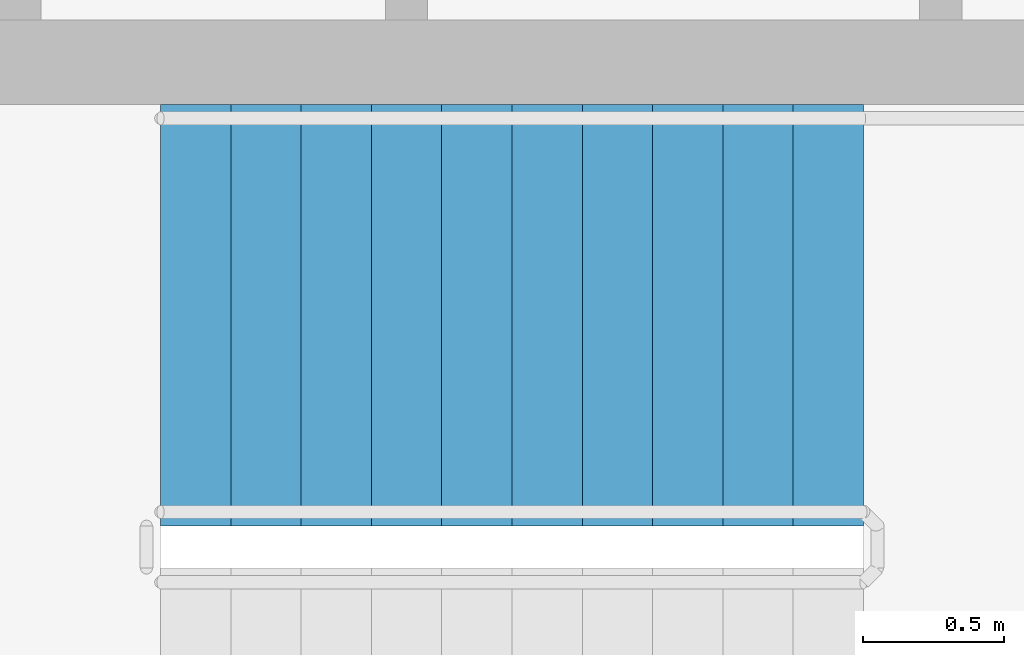
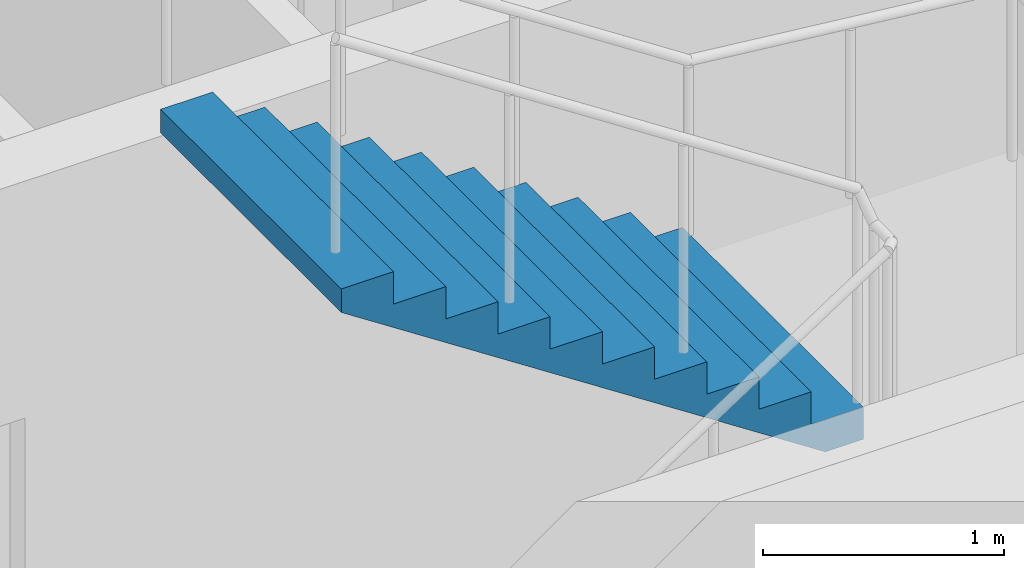
# One storey, part 9 of 10: 1 stair flight, 1 element without a shape of its own.
"""IFC4 building model written with IfcOpenShell, lengths in metres."""

from ifc_helpers import new_model, si_unit, direction, frame, origin, place, context, subcontext, project, spatial, polyline, outline, extrude, material, type_object, element, aggregate, save


model = new_model("IFC4")

# Units and contexts
model_context = context("Model", 3, precision=1e-05, world=origin(), true_north=direction((0.0, 1.0)))
body_context = subcontext(model_context, "Body", "Model", "MODEL_VIEW")
ifc_project = project(units=[si_unit("LENGTHUNIT", "METRE"), si_unit("AREAUNIT", "SQUARE_METRE"), si_unit("VOLUMEUNIT", "CUBIC_METRE"), si_unit("PLANEANGLEUNIT", "RADIAN"), si_unit("MASSUNIT", "GRAM", prefix="KILO")], contexts=[model_context])

# Site, building, storey
site_placement = place(None, origin())
site = spatial("IfcSite", under=ifc_project, at=site_placement, CompositionType="ELEMENT")
building_placement = place(site_placement, origin())
building = spatial("IfcBuilding", under=site, at=building_placement, Name="Tracery Tower", CompositionType="ELEMENT")
storey_placement = place(building_placement, frame((0.0, 0.0, 194.39990234375)))
storey = spatial("IfcBuildingStorey", under=building, at=storey_placement, Name="L50", CompositionType="ELEMENT", Elevation=194.39990234375)

# Stair, stair flight
ifc_material_1 = material(Name="Concrete C32/40", Category="concrete")
stair_type = type_object("IfcStairType", Name="Core stair 22 risers", PredefinedType="HALF_TURN_STAIR", material=ifc_material_1)
stair_placement = place(storey_placement, origin())
stair = element("IfcStair", 1, at=stair_placement, inside=storey, type_object=stair_type, Name="L50 stair ST2", PredefinedType="HALF_TURN_STAIR")
ifc_material_2 = material(Name="Concrete C32/40", Category="concrete")
stair_flight_type = type_object("IfcStairFlightType", Name="Core stair flight 11 risers", PredefinedType="STRAIGHT", material=ifc_material_2)
stair_flight_placement = place(storey_placement, frame((7.300048828125, -4.0, 1.800048828125), z_axis=(0.0, 0.0, 1.0), x_axis=(-1.0, 0.0, 0.0)))
stair_flight = element("IfcStairFlight", 2, at=stair_flight_placement, type_object=stair_flight_type, Name="ST2 flight 2", NumberOfRisers=11, NumberOfTreads=10, PredefinedType="STRAIGHT", RiserHeight=0.163636364, TreadLength=0.25, context=body_context, shape_type="SweptSolid", body=[
    extrude(outline(polyline([(0.0, 0.0), (0.0, 0.002685546875), (0.0, 0.00537109375), (0.0, 0.008056640625), (0.0, 0.0107421875), (0.0, 0.013427734375), (0.0, 0.01611328125), (0.0, 0.018798828125), (0.0, 0.021484375), (0.0, 0.024169921875), (0.0, 0.02685546875), (0.0, 0.029541015625), (0.0, 0.0322265625), (0.0, 0.034912109375), (0.0, 0.03759765625), (0.0, 0.040283203125), (0.0, 0.04296875), (0.0, 0.045654296875), (0.0, 0.04833984375), (0.0, 0.051025390625), (0.0, 0.0537109375), (0.0, 0.056396484375), (0.0, 0.05908203125), (0.0, 0.061767578125), (0.0, 0.064453125), (0.0, 0.067138671875), (0.0, 0.06982421875), (0.0, 0.072509765625), (0.0, 0.0751953125), (0.0, 0.077880859375), (0.0, 0.08056640625), (0.0, 0.083251953125), (0.0, 0.0859375), (0.0, 0.088623046875), (0.0, 0.09130859375), (0.0, 0.093994140625), (0.0, 0.0966796875), (0.0, 0.099365234375), (0.0, 0.10205078125), (0.0, 0.104736328125), (0.0, 0.107421875), (0.0, 0.10986328125), (0.0, 0.112548828125), (0.0, 0.115234375), (0.0, 0.117919921875), (0.0, 0.12060546875), (0.0, 0.123291015625), (0.0, 0.1259765625), (0.0, 0.128662109375), (0.0, 0.13134765625), (0.0, 0.134033203125), (0.0, 0.13671875), (0.0, 0.139404296875), (0.0, 0.14208984375), (0.0, 0.144775390625), (0.0, 0.1474609375), (0.0, 0.150146484375), (0.0, 0.15283203125), (0.0, 0.155517578125), (0.0, 0.158203125), (0.0, 0.160888671875), (0.0, 0.16357421875), (0.25, 0.16357421875), (0.25, 0.327392578125), (0.5, 0.327392578125), (0.5, 0.490966796875), (0.75, 0.490966796875), (0.75, 0.654541015625), (1.0, 0.654541015625), (1.0, 0.818115234375), (1.25, 0.818115234375), (1.25, 0.98193359375), (1.5, 0.98193359375), (1.5, 1.1455078125), (1.75, 1.1455078125), (1.75, 1.30908203125), (2.0, 1.30908203125), (2.0, 1.47265625), (2.25, 1.47265625), (2.25, 1.636474609375), (2.5, 1.636474609375), (2.5, 1.634521484375), (2.5, 1.63232421875), (2.5, 1.63037109375), (2.5, 1.62841796875), (2.5, 1.62646484375), (2.5, 1.62451171875), (2.5, 1.62255859375), (2.5, 1.62060546875), (2.5, 1.61865234375), (2.5, 1.61669921875), (2.5, 1.61474609375), (2.5, 1.61279296875), (2.5, 1.61083984375), (2.5, 1.60888671875), (2.5, 1.60693359375), (2.5, 1.60498046875), (2.5, 1.60302734375), (2.5, 1.60107421875), (2.5, 1.59912109375), (2.5, 1.59716796875), (2.5, 1.59521484375), (2.5, 1.59326171875), (2.5, 1.59130859375), (2.5, 1.58935546875), (2.5, 1.58740234375), (2.5, 1.58544921875), (2.5, 1.58349609375), (2.5, 1.58154296875), (2.5, 1.57958984375), (2.5, 1.57763671875), (2.5, 1.57568359375), (2.5, 1.573486328125), (2.5, 1.571533203125), (2.5, 1.569580078125), (2.5, 1.567626953125), (2.5, 1.565673828125), (2.5, 1.563720703125), (2.5, 1.561767578125), (2.5, 1.559814453125), (2.5, 1.557861328125), (2.5, 1.555908203125), (2.5, 1.553955078125), (2.5, 1.552001953125), (2.5, 1.550048828125), (2.5, 1.548095703125), (2.5, 1.546142578125), (2.5, 1.544189453125), (2.5, 1.542236328125), (2.5, 1.540283203125), (2.5, 1.538330078125), (2.5, 1.536376953125), (2.5, 1.534423828125), (2.5, 1.532470703125), (2.5, 1.530517578125), (2.5, 1.528564453125), (2.5, 1.526611328125), (2.5, 1.524658203125), (2.5, 1.522705078125), (2.5, 1.520751953125), (2.5, 1.518798828125), (2.5, 1.516845703125), (0.182861328125, 0.0), (0.0, 0.0)])), frame((0.0, 0.75, 0.0), z_axis=(0.0, -1.0, 0.0), x_axis=(1.0, 0.0, 0.0)), (0.0, 0.0, 1.0), 1.5),
])
aggregate(stair, [stair_flight])

save(model, "model.ifc")
